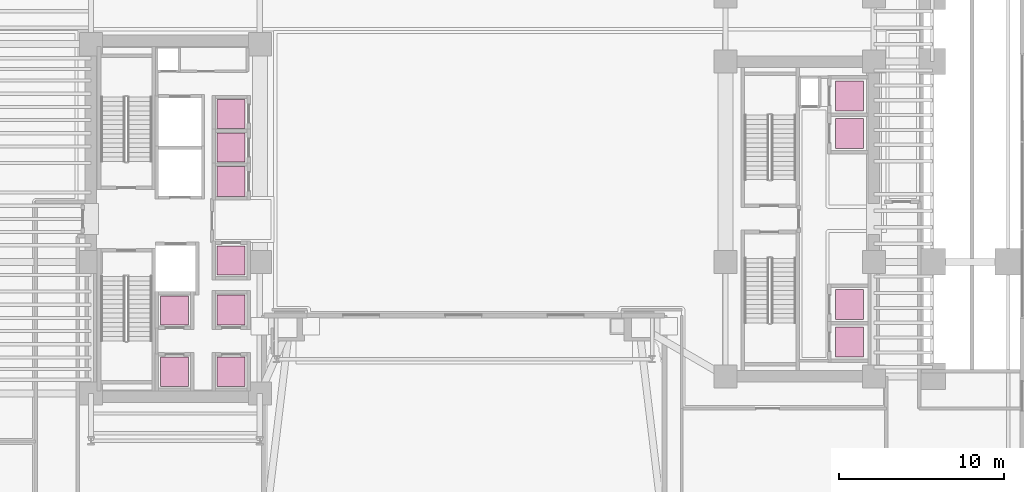
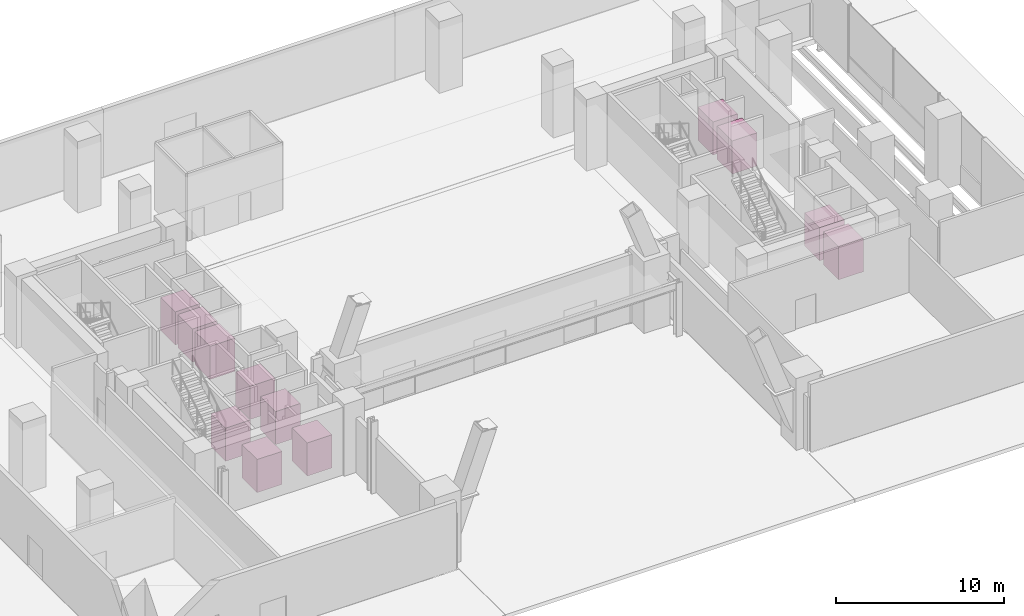
# One storey, part 27 of 27: 12 transport elements.
"""IFC4 building model written with IfcOpenShell, lengths in metres."""

from ifc_helpers import new_model, si_unit, direction, frame, origin, origin_2d, place, context, subcontext, project, spatial, rectangle, extrude, source, transform, mapped, material, type_object, element, save


model = new_model("IFC4")

# Units and contexts
model_context = context("Model", 3, precision=1e-05, world=origin(), true_north=direction((0.0, 1.0)))
body_context = subcontext(model_context, "Body", "Model", "MODEL_VIEW")
ifc_project = project(units=[si_unit("LENGTHUNIT", "METRE"), si_unit("AREAUNIT", "SQUARE_METRE"), si_unit("VOLUMEUNIT", "CUBIC_METRE"), si_unit("PLANEANGLEUNIT", "RADIAN"), si_unit("MASSUNIT", "GRAM", prefix="KILO")], contexts=[model_context])

# Site, building, storey
site_placement = place(None, origin())
site = spatial("IfcSite", under=ifc_project, at=site_placement, CompositionType="ELEMENT")
building_placement = place(site_placement, origin())
building = spatial("IfcBuilding", under=site, at=building_placement, Name="Valdorenza Pilgrim Sanctuary Tower", CompositionType="ELEMENT")
storey_placement = place(building_placement, origin())
storey = spatial("IfcBuildingStorey", under=building, at=storey_placement, Name="L00", CompositionType="ELEMENT", Elevation=0.0)

# Transport elements
ifc_material = material(Name="Brushed stainless steel Grade 316", Category="steel")
transport_element_type_1 = type_object("IfcTransportElementType", Name="LFT-CAR-PAS", PredefinedType="ELEVATOR", material=ifc_material)
shared_shape_1 = source(origin(), body_context, "Body", "SweptSolid", [
    extrude(rectangle(XDim=1.699951171875, YDim=1.800048828125, at=origin_2d()), origin(), (0.0, 0.0, 1.0), 2.39990234375),
])
for number, where, z_axis, x_axis, name in (
    (1, (-14.139892578125, -9.27490234375, 0.0), (0.0, 0.0, 1.0), (1.0, 0.0, 0.0), "Lift PL-01 (Passenger)"),
    (2, (-14.139892578125, -5.52490234375, 0.0), (0.0, 0.0, 1.0), (1.0, 0.0, 0.0), "Lift PL-02 (Passenger)"),
    (3, (23.364990234375, -7.46240234375, 0.0), (0.0, 0.0, 1.0), (1.0, 0.0, 0.0), "Lift PL-03 (Passenger)"),
    (4, (23.364990234375, -5.1875, 0.0), (0.0, 0.0, 1.0), (1.0, 0.0, 0.0), "Lift PL-04 (Passenger)"),
    (5, (-17.574951171875, -9.27490234375, 0.0), (0.0, 0.0, 1.0), (1.0, 0.0, 0.0), "Lift PL-05 (Passenger)"),
    (6, (-14.139892578125, 2.27490234375, 0.0), (0.0, 0.0, 1.0), (1.0, 0.0, 0.0), "Lift PL-06 (Passenger)"),
    (7, (23.364990234375, 5.1875, 0.0), (0.0, 0.0, 1.0), (1.0, 0.0, 0.0), "Lift PL-07 (Passenger)"),
    (8, (23.364990234375, 7.46240234375, 0.0), (0.0, 0.0, 1.0), (1.0, 0.0, 0.0), "Lift PL-08 (Passenger)"),
):
    element("IfcTransportElement", number, at=place(storey_placement, frame(where, z_axis=z_axis, x_axis=x_axis)), inside=storey, type_object=transport_element_type_1, Name=name, PredefinedType="ELEVATOR", context=body_context, shape_type="MappedRepresentation", body=[
        mapped(shared_shape_1, transform((0.0, 0.0, 0.0), x_axis=(1.0, 0.0, 0.0), y_axis=(0.0, 1.0, 0.0), z_axis=(0.0, 0.0, 1.0), scale=1.0)),
    ])
transport_element_type_2 = type_object("IfcTransportElementType", Name="LFT-CAR-PHG", PredefinedType="ELEVATOR", material=ifc_material)
shared_shape_2 = source(origin(), body_context, "Body", "SweptSolid", [
    extrude(rectangle(XDim=1.699951171875, YDim=1.75, at=origin_2d()), origin(), (0.0, 0.0, 1.0), 2.39990234375),
])
for number, where, z_axis, x_axis, name in (
    (9, (-14.139892578125, 4.324951171875, 0.0), (0.0, 0.0, 1.0), (1.0, 0.0, 0.0), "Lift PL-09 (Passenger)"),
    (10, (-14.139892578125, 6.375, 0.0), (0.0, 0.0, 1.0), (1.0, 0.0, 0.0), "Lift PL-10 (Passenger)"),
    (11, (-17.574951171875, -5.550048828125, 0.0), (0.0, 0.0, 1.0), (1.0, 0.0, 0.0), "Lift PL-11 (Passenger)"),
    (12, (-14.139892578125, -2.52490234375, 0.0), (0.0, 0.0, 1.0), (1.0, 0.0, 0.0), "Lift PL-12 (Passenger)"),
):
    element("IfcTransportElement", number, at=place(storey_placement, frame(where, z_axis=z_axis, x_axis=x_axis)), inside=storey, type_object=transport_element_type_2, Name=name, PredefinedType="ELEVATOR", context=body_context, shape_type="MappedRepresentation", body=[
        mapped(shared_shape_2, transform((0.0, 0.0, 0.0), x_axis=(1.0, 0.0, 0.0), y_axis=(0.0, 1.0, 0.0), z_axis=(0.0, 0.0, 1.0), scale=1.0)),
    ])

save(model, "model.ifc")
